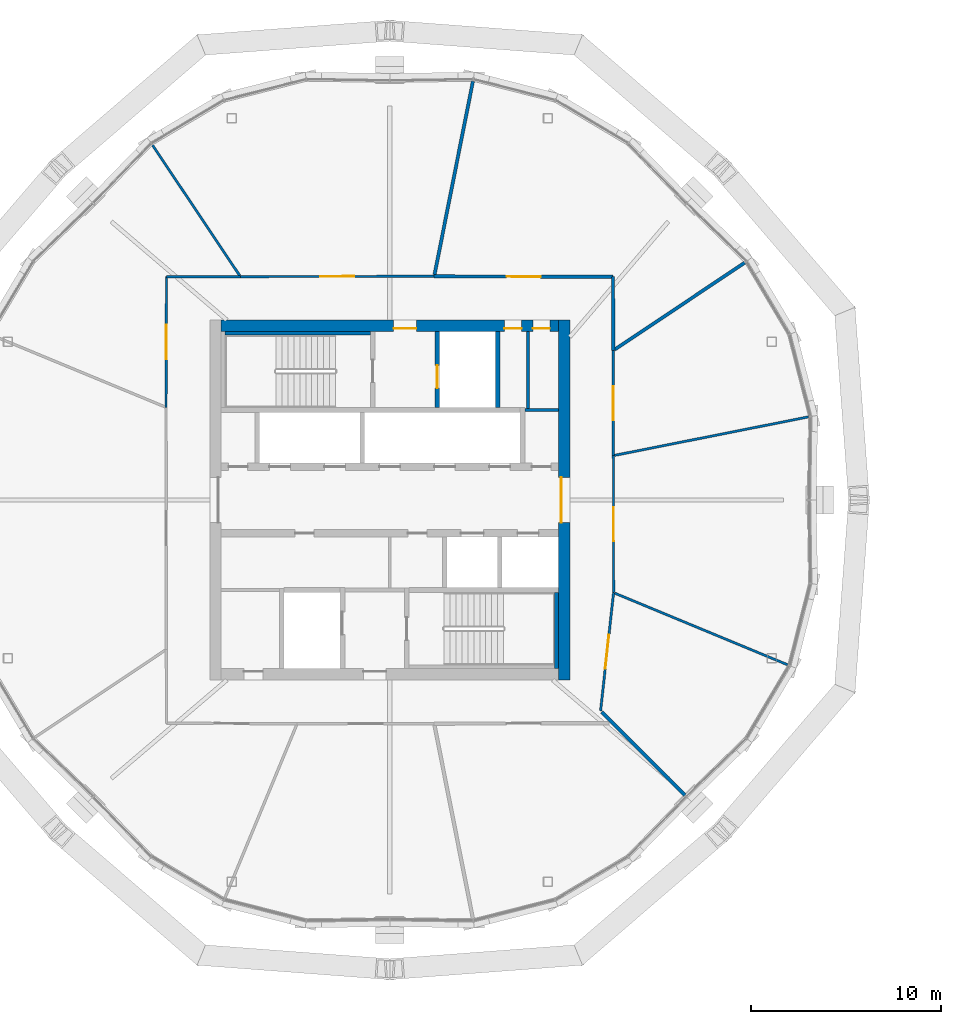
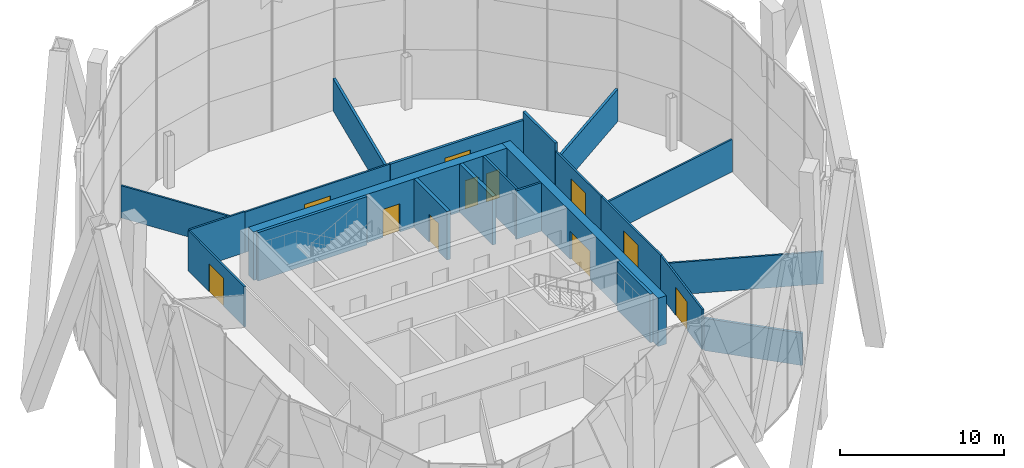
# One storey, part 17 of 23: 22 walls, 11 doors, 11 openings.
"""IFC4 building model written with IfcOpenShell, lengths in metres."""

from ifc_helpers import new_model, si_unit, direction, frame, frame_2d, origin, place, context, subcontext, project, spatial, rectangle, extrude, material, layer, layer_set, type_object, element, fill, save


model = new_model("IFC4")

# Units and contexts
model_context = context("Model", 3, precision=1e-05, world=origin(), true_north=direction((0.0, 1.0)))
body_context = subcontext(model_context, "Body", "Model", "MODEL_VIEW")
ifc_project = project(units=[si_unit("LENGTHUNIT", "METRE"), si_unit("AREAUNIT", "SQUARE_METRE"), si_unit("VOLUMEUNIT", "CUBIC_METRE"), si_unit("PLANEANGLEUNIT", "RADIAN"), si_unit("MASSUNIT", "GRAM", prefix="KILO")], contexts=[model_context])

# Site, building, storey
site_placement = place(None, origin())
site = spatial("IfcSite", under=ifc_project, at=site_placement, CompositionType="ELEMENT")
building_placement = place(site_placement, origin())
building = spatial("IfcBuilding", under=site, at=building_placement, Name="Ogive Gate Towers", CompositionType="ELEMENT")
storey_placement = place(building_placement, frame((0.0, 0.0, 165.60009765625)))
storey = spatial("IfcBuildingStorey", under=building, at=storey_placement, Name="L39", CompositionType="ELEMENT", Elevation=165.60009765625)

# Walls
ifc_material_1 = material(Name="Gypsum board acoustic partition")
ifc_layer_1 = layer(ifc_material_1, 0.175048828125)
ifc_layer_set_1 = layer_set([ifc_layer_1], Name="Acoustic partition 175")
wall_type_1 = type_object("IfcWallType", Name="Acoustic partition 175", PredefinedType="PARTITIONING", material=ifc_layer_set_1)
wall_1_placement = place(storey_placement, frame((-17.271728515625, 12.5234375, 0.0), z_axis=(0.0, 0.0, 1.0), x_axis=(-0.831276607887, -0.555858975982, 0.0)))
element("IfcWall", 1, at=wall_1_placement, inside=storey, type_object=wall_type_1, Name="Partition T1-L39-002", PredefinedType="PARTITIONING", context=body_context, shape_type="SweptSolid", body=[
    extrude(rectangle(XDim=8.26171875, YDim=0.175048828125, at=frame_2d((4.130859375, 0.0))), origin(), (0.0, 0.0, 1.0), 2.39990234375),
])
wall_2_placement = place(storey_placement, frame((-31.612548828125, 22.09814453125, 0.0), z_axis=(0.0, 0.0, 1.0), x_axis=(-0.194745070946, -0.980853891944, 0.0)))
element("IfcWall", 2, at=wall_2_placement, inside=storey, type_object=wall_type_1, Name="Partition T1-L39-003", PredefinedType="PARTITIONING", context=body_context, shape_type="SweptSolid", body=[
    extrude(rectangle(XDim=10.411376953125, YDim=0.175048828125, at=frame_2d((5.20556640625, 0.0))), origin(), (0.0, 0.0, 1.0), 2.39990234375),
])
wall_3_placement = place(storey_placement, frame((-20.423095703125, -15.576904296875, 0.0), z_axis=(0.0, 0.0, 1.0), x_axis=(-0.707106781187, 0.707106781187, 0.0)))
element("IfcWall", 3, at=wall_3_placement, inside=storey, type_object=wall_type_1, Name="Partition T1-L39-009", PredefinedType="PARTITIONING", context=body_context, shape_type="SweptSolid", body=[
    extrude(rectangle(XDim=6.21142578125, YDim=0.175048828125, at=frame_2d((3.105712890625, 0.0))), origin(), (0.0, 0.0, 1.0), 2.39990234375),
])

# Wall, opening, door
wall_4_placement = place(storey_placement, frame((-24.219970703125, 11.780029296875, 0.0), z_axis=(0.0, 0.0, 1.0), x_axis=(-0.999997694656, 0.002147250185, 0.0)))
wall_4 = element("IfcWall", 4, at=wall_4_placement, inside=storey, type_object=wall_type_1, Name="Partition T1-L39-022", PredefinedType="PARTITIONING", context=body_context, shape_type="SweptSolid", body=[
    extrude(rectangle(XDim=9.43701171875, YDim=0.175048828125, at=frame_2d((4.718505859375, 0.0))), origin(), (0.0, 0.0, 1.0), 3.0),
])
opening_1_placement = place(wall_4_placement, frame((3.819091796875, 0.0, 0.0)))
opening_1 = element("IfcOpeningElement", 5, at=opening_1_placement, cuts=wall_4, Name="Opening T1-L39-D10", PredefinedType="OPENING", context=body_context, shape_type="SweptSolid", body=[
    extrude(rectangle(XDim=1.800048828125, YDim=2.10009765625, at=frame_2d((0.89990234375, 1.050048828125))), frame((0.0, 0.09765625, 0.0), z_axis=(0.0, -1.0, 0.0), x_axis=(1.0, 0.0, 0.0)), (0.0, 0.0, 1.0), 0.195068359375),
])
ifc_material_2 = material(Name="Timber door", Category="wood")
door_type_1 = type_object("IfcDoorType", Name="Door pair 1800", OperationType="NOTDEFINED", PredefinedType="DOOR", material=ifc_material_2)
door_1_placement = place(opening_1_placement, origin())
door_1 = element("IfcDoor", 6, at=door_1_placement, inside=storey, type_object=door_type_1, Name="Door T1-L39-D10", OperationType="DOUBLE_DOOR_DOUBLE_SWING", OverallHeight=2.10009765625, OverallWidth=1.800048828125, PredefinedType="DOOR", context=body_context, shape_type="SweptSolid", body=[
    extrude(rectangle(XDim=1.800048828125, YDim=2.10009765625, at=frame_2d((0.89990234375, 1.050048828125))), frame((0.0, 0.02490234375, 0.0), z_axis=(0.0, -1.0, 0.0), x_axis=(1.0, 0.0, 0.0)), (0.0, 0.0, 1.0), 0.050048828125),
])
fill(opening_1, door_1)

# Wall
wall_5_placement = place(storey_placement, frame((-24.212158203125, 7.882568359375, 0.0), z_axis=(0.0, 0.0, 1.0), x_axis=(-0.002004506121, 0.999997990976, 0.0)))
element("IfcWall", 7, at=wall_5_placement, inside=storey, type_object=wall_type_1, Name="Partition T1-L39-023", PredefinedType="PARTITIONING", context=body_context, shape_type="SweptSolid", body=[
    extrude(rectangle(XDim=3.8974609375, YDim=0.175048828125, at=frame_2d((1.94873046875, 0.0))), origin(), (0.0, 0.0, 1.0), 3.599853515625),
])

# Wall, openings, doors
ifc_material_3 = material(Name="Concrete C60/75", Category="concrete")
ifc_layer_2 = layer(ifc_material_3, 0.60009765625)
ifc_layer_set_2 = layer_set([ifc_layer_2], Name="Core wall 600 mm")
wall_type_2 = type_object("IfcWallType", Name="Core wall 600 mm", PredefinedType="SHEAR", material=ifc_layer_set_2)
wall_6_placement = place(storey_placement, frame((-44.89990234375, 9.199951171875, 0.0), z_axis=(0.0, 0.0, 1.0), x_axis=(1.0, 0.0, 0.0)))
wall_6 = element("IfcWall", 8, at=wall_6_placement, inside=storey, type_object=wall_type_2, Name="T1 L39 Core wall 600 mm", PredefinedType="SHEAR", context=body_context, shape_type="SweptSolid", body=[
    extrude(rectangle(XDim=17.7998046875, YDim=0.60009765625, at=frame_2d((8.89990234375, 0.0))), origin(), (0.0, 0.0, 1.0), 3.599853515625),
])
opening_2_placement = place(wall_6_placement, frame((9.10009765625, 0.0, 0.0)))
opening_2 = element("IfcOpeningElement", 9, at=opening_2_placement, cuts=wall_6, Name="Opening KD-T1-L39-18", PredefinedType="OPENING", context=body_context, shape_type="SweptSolid", body=[
    extrude(rectangle(XDim=1.199951171875, YDim=2.10009765625, at=frame_2d((0.60009765625, 1.050048828125))), frame((0.0, 0.31005859375, 0.0), z_axis=(0.0, -1.0, 0.0), x_axis=(1.0, 0.0, 0.0)), (0.0, 0.0, 1.0), 0.6201171875),
])
opening_3_placement = place(wall_6_placement, frame((14.949951171875, 0.0, 0.0)))
opening_3 = element("IfcOpeningElement", 10, at=opening_3_placement, cuts=wall_6, Name="Opening KD-T1-L39-20", PredefinedType="OPENING", context=body_context, shape_type="SweptSolid", body=[
    extrude(rectangle(XDim=0.89990234375, YDim=2.10009765625, at=frame_2d((0.449951171875, 1.050048828125))), frame((0.0, 0.31005859375, 0.0), z_axis=(0.0, -1.0, 0.0), x_axis=(1.0, 0.0, 0.0)), (0.0, 0.0, 1.0), 0.6201171875),
])
opening_4_placement = place(wall_6_placement, frame((16.449951171875, 0.0, 0.0)))
opening_4 = element("IfcOpeningElement", 11, at=opening_4_placement, cuts=wall_6, Name="Opening KD-T1-L39-21", PredefinedType="OPENING", context=body_context, shape_type="SweptSolid", body=[
    extrude(rectangle(XDim=0.89990234375, YDim=2.10009765625, at=frame_2d((0.449951171875, 1.050048828125))), frame((0.0, 0.31005859375, 0.0), z_axis=(0.0, -1.0, 0.0), x_axis=(1.0, 0.0, 0.0)), (0.0, 0.0, 1.0), 0.6201171875),
])
door_type_2 = type_object("IfcDoorType", Name="Core WC door 900 x 2100", OperationType="NOTDEFINED", PredefinedType="DOOR", material=ifc_material_2)
door_2_placement = place(opening_3_placement, origin())
door_2 = element("IfcDoor", 12, at=door_2_placement, inside=storey, type_object=door_type_2, Name="T1 L39 Core door", OperationType="SINGLE_SWING_LEFT", OverallHeight=2.10009765625, OverallWidth=0.89990234375, PredefinedType="DOOR", context=body_context, shape_type="SweptSolid", body=[
    extrude(rectangle(XDim=0.89990234375, YDim=2.10009765625, at=frame_2d((0.449951171875, 1.050048828125))), frame((0.0, -0.125, 0.0), z_axis=(0.0, -1.0, 0.0), x_axis=(1.0, 0.0, 0.0)), (0.0, 0.0, 1.0), 0.050048828125),
])
fill(opening_3, door_2)
door_3_placement = place(opening_4_placement, origin())
door_3 = element("IfcDoor", 13, at=door_3_placement, inside=storey, type_object=door_type_2, Name="T1 L39 Core door", OperationType="SINGLE_SWING_RIGHT", OverallHeight=2.10009765625, OverallWidth=0.89990234375, PredefinedType="DOOR", context=body_context, shape_type="SweptSolid", body=[
    extrude(rectangle(XDim=0.89990234375, YDim=2.10009765625, at=frame_2d((0.449951171875, 1.050048828125))), frame((0.0, -0.125, 0.0), z_axis=(0.0, -1.0, 0.0), x_axis=(1.0, 0.0, 0.0)), (0.0, 0.0, 1.0), 0.050048828125),
])
fill(opening_4, door_3)
ifc_material_4 = material(Name="Steel fire door", Category="steel")
door_type_3 = type_object("IfcDoorType", Name="Core door FD60S 1200 x 2100", OperationType="NOTDEFINED", PredefinedType="DOOR", material=ifc_material_4)
door_4_placement = place(opening_2_placement, origin())
door_4 = element("IfcDoor", 14, at=door_4_placement, inside=storey, type_object=door_type_3, Name="T1 L39 Fire-fighting lobby door", OperationType="SINGLE_SWING_LEFT", OverallHeight=2.10009765625, OverallWidth=1.199951171875, PredefinedType="DOOR", context=body_context, shape_type="SweptSolid", body=[
    extrude(rectangle(XDim=1.199951171875, YDim=2.10009765625, at=frame_2d((0.60009765625, 1.050048828125))), frame((0.0, -0.125, 0.0), z_axis=(0.0, -1.0, 0.0), x_axis=(1.0, 0.0, 0.0)), (0.0, 0.0, 1.0), 0.050048828125),
])
fill(opening_2, door_4)

# Wall, opening, door
wall_7_placement = place(storey_placement, frame((-26.800048828125, -9.5, 0.0), z_axis=(0.0, 0.0, 1.0), x_axis=(0.0, 1.0, 0.0)))
wall_7 = element("IfcWall", 15, at=wall_7_placement, inside=storey, type_object=wall_type_2, Name="T1 L39 Core wall 600 mm", PredefinedType="SHEAR", context=body_context, shape_type="SweptSolid", body=[
    extrude(rectangle(XDim=19.0, YDim=0.60009765625, at=frame_2d((9.5, 0.0))), origin(), (0.0, 0.0, 1.0), 3.599853515625),
])
opening_5_placement = place(wall_7_placement, frame((8.300048828125, 0.0, 0.0)))
opening_5 = element("IfcOpeningElement", 16, at=opening_5_placement, cuts=wall_7, Name="Opening KD-T1-L39-02", PredefinedType="OPENING", context=body_context, shape_type="SweptSolid", body=[
    extrude(rectangle(XDim=2.39990234375, YDim=2.10009765625, at=frame_2d((1.199951171875, 1.050048828125))), frame((0.0, 0.31005859375, 0.0), z_axis=(0.0, -1.0, 0.0), x_axis=(1.0, 0.0, 0.0)), (0.0, 0.0, 1.0), 0.6201171875),
])
door_type_4 = type_object("IfcDoorType", Name="Core double door FD60S 2400 x 2100", OperationType="DOUBLE_DOOR_SINGLE_SWING", PredefinedType="DOOR", material=ifc_material_4)
door_5_placement = place(opening_5_placement, origin())
door_5 = element("IfcDoor", 17, at=door_5_placement, inside=storey, type_object=door_type_4, Name="T1 L39 Core door double", OperationType="DOUBLE_DOOR_SINGLE_SWING", OverallHeight=2.10009765625, OverallWidth=2.39990234375, PredefinedType="DOOR", context=body_context, shape_type="SweptSolid", body=[
    extrude(rectangle(XDim=2.39990234375, YDim=2.10009765625, at=frame_2d((1.199951171875, 1.050048828125))), frame((0.0, 0.1748046875, 0.0), z_axis=(0.0, -1.0, 0.0), x_axis=(1.0, 0.0, 0.0)), (0.0, 0.0, 1.0), 0.050048828125),
])
fill(opening_5, door_5)

# Walls
ifc_material_5 = material(Name="Gypsum board partition")
ifc_layer_3 = layer(ifc_material_5, 0.125)
ifc_layer_set_3 = layer_set([ifc_layer_3], Name="Partition 125")
wall_type_3 = type_object("IfcWallType", Name="Partition 125", PredefinedType="PARTITIONING", material=ifc_layer_set_3)
wall_8_placement = place(storey_placement, frame((-13.90185546875, 4.387451171875, 0.0), z_axis=(0.0, 0.0, 1.0), x_axis=(-0.980853242428, -0.194748342274, 0.0)))
element("IfcWall", 18, at=wall_8_placement, inside=storey, type_object=wall_type_3, Name="Partition T1-L39-001", PredefinedType="PARTITIONING", context=body_context, shape_type="SweptSolid", body=[
    extrude(rectangle(XDim=10.436279296875, YDim=0.125, at=frame_2d((5.21826171875, 0.0))), origin(), (0.0, 0.0, 1.0), 2.39990234375),
])
wall_9_placement = place(storey_placement, frame((-48.5234375, 18.728271484375, 0.0), z_axis=(0.0, 0.0, 1.0), x_axis=(0.555862276256, -0.831274401047, 0.0)))
element("IfcWall", 19, at=wall_9_placement, inside=storey, type_object=wall_type_3, Name="Partition T1-L39-004", PredefinedType="PARTITIONING", context=body_context, shape_type="SweptSolid", body=[
    extrude(rectangle(XDim=8.28662109375, YDim=0.125, at=frame_2d((4.143310546875, 0.0))), origin(), (0.0, 0.0, 1.0), 2.39990234375),
])
wall_10_placement = place(storey_placement, frame((-15.000244140625, -8.698486328125, 0.0), z_axis=(0.0, 0.0, 1.0), x_axis=(-0.923875671633, 0.382692753216, 0.0)))
element("IfcWall", 20, at=wall_10_placement, inside=storey, type_object=wall_type_3, Name="Partition T1-L39-010", PredefinedType="PARTITIONING", context=body_context, shape_type="SweptSolid", body=[
    extrude(rectangle(XDim=9.886474609375, YDim=0.125, at=frame_2d((4.943359375, 0.0))), origin(), (0.0, 0.0, 1.0), 2.39990234375),
])

# Wall, opening, door
wall_11_placement = place(storey_placement, frame((-33.656982421875, 11.80029296875, 0.0), z_axis=(0.0, 0.0, 1.0), x_axis=(-0.999999258667, -0.001217647841, 0.0)))
wall_11 = element("IfcWall", 21, at=wall_11_placement, inside=storey, type_object=wall_type_3, Name="Partition T1-L39-011", PredefinedType="PARTITIONING", context=body_context, shape_type="SweptSolid", body=[
    extrude(rectangle(XDim=10.2255859375, YDim=0.125, at=frame_2d((5.11279296875, 0.0))), origin(), (0.0, 0.0, 1.0), 3.0),
])
opening_6_placement = place(wall_11_placement, frame((4.212890625, 0.0, 0.0)))
opening_6 = element("IfcOpeningElement", 22, at=opening_6_placement, cuts=wall_11, Name="Opening T1-L39-D01", PredefinedType="OPENING", context=body_context, shape_type="SweptSolid", body=[
    extrude(rectangle(XDim=1.800048828125, YDim=2.10009765625, at=frame_2d((0.89990234375, 1.050048828125))), frame((0.0, 0.072509765625, 0.0), z_axis=(0.0, -1.0, 0.0), x_axis=(1.0, 0.0, 0.0)), (0.0, 0.0, 1.0), 0.14501953125),
])
door_6_placement = place(opening_6_placement, origin())
door_6 = element("IfcDoor", 23, at=door_6_placement, inside=storey, type_object=door_type_1, Name="Door T1-L39-D01", OperationType="DOUBLE_DOOR_DOUBLE_SWING", OverallHeight=2.10009765625, OverallWidth=1.800048828125, PredefinedType="DOOR", context=body_context, shape_type="SweptSolid", body=[
    extrude(rectangle(XDim=1.800048828125, YDim=2.10009765625, at=frame_2d((0.89990234375, 1.050048828125))), frame((0.0, 0.02490234375, 0.0), z_axis=(0.0, -1.0, 0.0), x_axis=(1.0, 0.0, 0.0)), (0.0, 0.0, 1.0), 0.050048828125),
])
fill(opening_6, door_6)

wall_12_placement = place(storey_placement, frame((-47.780029296875, 11.780029296875, 0.0), z_axis=(0.0, 0.0, 1.0), x_axis=(-0.004075523441, -0.99999169502, 0.0)))
wall_12 = element("IfcWall", 24, at=wall_12_placement, inside=storey, type_object=wall_type_3, Name="Partition T1-L39-012", PredefinedType="PARTITIONING", context=body_context, shape_type="SweptSolid", body=[
    extrude(rectangle(XDim=6.888916015625, YDim=0.125, at=frame_2d((3.4443359375, 0.0))), origin(), (0.0, 0.0, 1.0), 3.0),
])
opening_7_placement = place(wall_12_placement, frame((2.5439453125, 0.0, 0.0)))
opening_7 = element("IfcOpeningElement", 25, at=opening_7_placement, cuts=wall_12, Name="Opening T1-L39-D02", PredefinedType="OPENING", context=body_context, shape_type="SweptSolid", body=[
    extrude(rectangle(XDim=1.800048828125, YDim=2.10009765625, at=frame_2d((0.89990234375, 1.050048828125))), frame((0.0, 0.072509765625, 0.0), z_axis=(0.0, -1.0, 0.0), x_axis=(1.0, 0.0, 0.0)), (0.0, 0.0, 1.0), 0.14501953125),
])
door_7_placement = place(opening_7_placement, origin())
door_7 = element("IfcDoor", 26, at=door_7_placement, inside=storey, type_object=door_type_1, Name="Door T1-L39-D02", OperationType="DOUBLE_DOOR_DOUBLE_SWING", OverallHeight=2.10009765625, OverallWidth=1.800048828125, PredefinedType="DOOR", context=body_context, shape_type="SweptSolid", body=[
    extrude(rectangle(XDim=1.800048828125, YDim=2.10009765625, at=frame_2d((0.89990234375, 1.050048828125))), frame((0.0, 0.02490234375, 0.0), z_axis=(0.0, -1.0, 0.0), x_axis=(1.0, 0.0, 0.0)), (0.0, 0.0, 1.0), 0.050048828125),
])
fill(opening_7, door_7)

# Wall
wall_13_placement = place(storey_placement, frame((-43.882568359375, 11.787841796875, 0.0), z_axis=(0.0, 0.0, 1.0), x_axis=(-0.999997990976, -0.002004506121, 0.0)))
element("IfcWall", 27, at=wall_13_placement, inside=storey, type_object=wall_type_3, Name="Partition T1-L39-013", PredefinedType="PARTITIONING", context=body_context, shape_type="SweptSolid", body=[
    extrude(rectangle(XDim=3.8974609375, YDim=0.125, at=frame_2d((1.94873046875, 0.0))), origin(), (0.0, 0.0, 1.0), 3.0498046875),
])

# Wall, opening, door
wall_14_placement = place(storey_placement, frame((-24.877197265625, -11.122802734375, 0.0), z_axis=(0.0, 0.0, 1.0), x_axis=(0.109311621404, 0.994007529864, 0.0)))
wall_14 = element("IfcWall", 28, at=wall_14_placement, inside=storey, type_object=wall_type_3, Name="Partition T1-L39-019", PredefinedType="PARTITIONING", context=body_context, shape_type="SweptSolid", body=[
    extrude(rectangle(XDim=6.269287109375, YDim=0.125, at=frame_2d((3.134765625, 0.0))), origin(), (0.0, 0.0, 1.0), 3.0),
])
opening_8_placement = place(wall_14_placement, frame((2.235107421875, 0.0, 0.0)))
opening_8 = element("IfcOpeningElement", 29, at=opening_8_placement, cuts=wall_14, Name="Opening T1-L39-D07", PredefinedType="OPENING", context=body_context, shape_type="SweptSolid", body=[
    extrude(rectangle(XDim=1.800048828125, YDim=2.10009765625, at=frame_2d((0.89990234375, 1.050048828125))), frame((0.0, 0.072509765625, 0.0), z_axis=(0.0, -1.0, 0.0), x_axis=(1.0, 0.0, 0.0)), (0.0, 0.0, 1.0), 0.14501953125),
])
door_8_placement = place(opening_8_placement, origin())
door_8 = element("IfcDoor", 30, at=door_8_placement, inside=storey, type_object=door_type_1, Name="Door T1-L39-D07", OperationType="DOUBLE_DOOR_DOUBLE_SWING", OverallHeight=2.10009765625, OverallWidth=1.800048828125, PredefinedType="DOOR", context=body_context, shape_type="SweptSolid", body=[
    extrude(rectangle(XDim=1.800048828125, YDim=2.10009765625, at=frame_2d((0.89990234375, 1.050048828125))), frame((0.0, 0.02490234375, 0.0), z_axis=(0.0, -1.0, 0.0), x_axis=(1.0, 0.0, 0.0)), (0.0, 0.0, 1.0), 0.050048828125),
])
fill(opening_8, door_8)

wall_15_placement = place(storey_placement, frame((-24.19189453125, -4.89111328125, 0.0), z_axis=(0.0, 0.0, 1.0), x_axis=(-0.001079949423, 0.999999416854, 0.0)))
wall_15 = element("IfcWall", 31, at=wall_15_placement, inside=storey, type_object=wall_type_3, Name="Partition T1-L39-020", PredefinedType="PARTITIONING", context=body_context, shape_type="SweptSolid", body=[
    extrude(rectangle(XDim=7.234130859375, YDim=0.125, at=frame_2d((3.6171875, 0.0))), origin(), (0.0, 0.0, 1.0), 3.0),
])
opening_9_placement = place(wall_15_placement, frame((2.717041015625, 0.0, 0.0)))
opening_9 = element("IfcOpeningElement", 32, at=opening_9_placement, cuts=wall_15, Name="Opening T1-L39-D08", PredefinedType="OPENING", context=body_context, shape_type="SweptSolid", body=[
    extrude(rectangle(XDim=1.800048828125, YDim=2.10009765625, at=frame_2d((0.89990234375, 1.050048828125))), frame((0.0, 0.072509765625, 0.0), z_axis=(0.0, -1.0, 0.0), x_axis=(1.0, 0.0, 0.0)), (0.0, 0.0, 1.0), 0.14501953125),
])
door_9_placement = place(opening_9_placement, origin())
door_9 = element("IfcDoor", 33, at=door_9_placement, inside=storey, type_object=door_type_1, Name="Door T1-L39-D08", OperationType="DOUBLE_DOOR_DOUBLE_SWING", OverallHeight=2.10009765625, OverallWidth=1.800048828125, PredefinedType="DOOR", context=body_context, shape_type="SweptSolid", body=[
    extrude(rectangle(XDim=1.800048828125, YDim=2.10009765625, at=frame_2d((0.89990234375, 1.050048828125))), frame((0.0, 0.02490234375, 0.0), z_axis=(0.0, -1.0, 0.0), x_axis=(1.0, 0.0, 0.0)), (0.0, 0.0, 1.0), 0.050048828125),
])
fill(opening_9, door_9)

wall_16_placement = place(storey_placement, frame((-24.19970703125, 2.343017578125, 0.0), z_axis=(0.0, 0.0, 1.0), x_axis=(-0.002247680528, 0.999997473963, 0.0)))
wall_16 = element("IfcWall", 34, at=wall_16_placement, inside=storey, type_object=wall_type_3, Name="Partition T1-L39-021", PredefinedType="PARTITIONING", context=body_context, shape_type="SweptSolid", body=[
    extrude(rectangle(XDim=5.53955078125, YDim=0.125, at=frame_2d((2.769775390625, 0.0))), origin(), (0.0, 0.0, 1.0), 3.0),
])
opening_10_placement = place(wall_16_placement, frame((1.8701171875, 0.0, 0.0)))
opening_10 = element("IfcOpeningElement", 35, at=opening_10_placement, cuts=wall_16, Name="Opening T1-L39-D09", PredefinedType="OPENING", context=body_context, shape_type="SweptSolid", body=[
    extrude(rectangle(XDim=1.800048828125, YDim=2.10009765625, at=frame_2d((0.89990234375, 1.050048828125))), frame((0.0, 0.072509765625, 0.0), z_axis=(0.0, -1.0, 0.0), x_axis=(1.0, 0.0, 0.0)), (0.0, 0.0, 1.0), 0.14501953125),
])
door_10_placement = place(opening_10_placement, origin())
door_10 = element("IfcDoor", 36, at=door_10_placement, inside=storey, type_object=door_type_1, Name="Door T1-L39-D09", OperationType="DOUBLE_DOOR_DOUBLE_SWING", OverallHeight=2.10009765625, OverallWidth=1.800048828125, PredefinedType="DOOR", context=body_context, shape_type="SweptSolid", body=[
    extrude(rectangle(XDim=1.800048828125, YDim=2.10009765625, at=frame_2d((0.89990234375, 1.050048828125))), frame((0.0, 0.02490234375, 0.0), z_axis=(0.0, -1.0, 0.0), x_axis=(1.0, 0.0, 0.0)), (0.0, 0.0, 1.0), 0.050048828125),
])
fill(opening_10, door_10)

# Walls
ifc_layer_4 = layer(ifc_material_5, 0.14990234375)
ifc_layer_set_4 = layer_set([ifc_layer_4], Name="Room partition 150 mm")
wall_type_4 = type_object("IfcWallType", Name="Room partition 150 mm", PredefinedType="PARTITIONING", material=ifc_layer_set_4)
wall_17_placement = place(storey_placement, frame((-28.875, 4.75, 0.0), z_axis=(0.0, 0.0, 1.0), x_axis=(1.0, 0.0, 0.0)))
element("IfcWall", 37, at=wall_17_placement, inside=storey, type_object=wall_type_4, Name="T1 L39 Room partition 150 mm", PredefinedType="PARTITIONING", context=body_context, shape_type="SweptSolid", body=[
    extrude(rectangle(XDim=1.77490234375, YDim=0.14990234375, at=frame_2d((0.887451171875, 0.0))), origin(), (0.0, 0.0, 1.0), 3.599853515625),
])
wall_18_placement = place(storey_placement, frame((-28.699951171875, 4.824951171875, 0.0), z_axis=(0.0, 0.0, 1.0), x_axis=(0.0, 1.0, 0.0)))
element("IfcWall", 38, at=wall_18_placement, inside=storey, type_object=wall_type_4, Name="T1 L39 Room partition 150 mm", PredefinedType="PARTITIONING", context=body_context, shape_type="SweptSolid", body=[
    extrude(rectangle(XDim=4.074951171875, YDim=0.14990234375, at=frame_2d((2.03759765625, 0.0))), origin(), (0.0, 0.0, 1.0), 3.599853515625),
])

# Wall, opening, door
ifc_layer_5 = layer(ifc_material_3, 0.25)
ifc_layer_set_5 = layer_set([ifc_layer_5], Name="Shaft wall 250 mm")
wall_type_5 = type_object("IfcWallType", Name="Shaft wall 250 mm", PredefinedType="SHEAR", material=ifc_layer_set_5)
wall_19_placement = place(storey_placement, frame((-33.5, 4.875, 0.0), z_axis=(0.0, 0.0, 1.0), x_axis=(0.0, 1.0, 0.0)))
wall_19 = element("IfcWall", 39, at=wall_19_placement, inside=storey, type_object=wall_type_5, Name="T1 L39 Shaft wall 250 mm", PredefinedType="SHEAR", context=body_context, shape_type="SweptSolid", body=[
    extrude(rectangle(XDim=4.02490234375, YDim=0.25, at=frame_2d((2.012451171875, 0.0))), origin(), (0.0, 0.0, 1.0), 3.599853515625),
])
opening_11_placement = place(wall_19_placement, frame((1.02490234375, 0.0, 0.0)))
opening_11 = element("IfcOpeningElement", 40, at=opening_11_placement, cuts=wall_19, Name="Opening LD-T1-L39-12", PredefinedType="OPENING", context=body_context, shape_type="SweptSolid", body=[
    extrude(rectangle(XDim=1.199951171875, YDim=2.10009765625, at=frame_2d((0.60009765625, 1.050048828125))), frame((0.0, 0.135009765625, 0.0), z_axis=(0.0, -1.0, 0.0), x_axis=(1.0, 0.0, 0.0)), (0.0, 0.0, 1.0), 0.27001953125),
])
ifc_material_6 = material(Name="Stainless steel landing door", Category="steel")
door_type_5 = type_object("IfcDoorType", Name="Landing door 1200 x 2100", OperationType="SLIDING_TO_LEFT", PredefinedType="DOOR", material=ifc_material_6)
door_11_placement = place(opening_11_placement, origin())
door_11 = element("IfcDoor", 41, at=door_11_placement, inside=storey, type_object=door_type_5, Name="T1 L39 Lift landing door FF1", OperationType="SLIDING_TO_LEFT", OverallHeight=2.10009765625, OverallWidth=1.199951171875, PredefinedType="DOOR", context=body_context, shape_type="SweptSolid", body=[
    extrude(rectangle(XDim=1.199951171875, YDim=2.10009765625, at=frame_2d((0.60009765625, 1.050048828125))), frame((0.0, 0.02490234375, 0.0), z_axis=(0.0, -1.0, 0.0), x_axis=(1.0, 0.0, 0.0)), (0.0, 0.0, 1.0), 0.050048828125),
])
fill(opening_11, door_11)

# Walls
wall_20_placement = place(storey_placement, frame((-30.300048828125, 4.875, 0.0), z_axis=(0.0, 0.0, 1.0), x_axis=(0.0, 1.0, 0.0)))
element("IfcWall", 42, at=wall_20_placement, inside=storey, type_object=wall_type_5, Name="T1 L39 Shaft wall 250 mm", PredefinedType="SHEAR", context=body_context, shape_type="SweptSolid", body=[
    extrude(rectangle(XDim=4.02490234375, YDim=0.25, at=frame_2d((2.012451171875, 0.0))), origin(), (0.0, 0.0, 1.0), 3.599853515625),
])
ifc_layer_6 = layer(ifc_material_3, 0.199951171875)
ifc_layer_set_6 = layer_set([ifc_layer_6], Name="Stair wall 200 mm")
wall_type_6 = type_object("IfcWallType", Name="Stair wall 200 mm", PredefinedType="SHEAR", material=ifc_layer_set_6)
wall_21_placement = place(storey_placement, frame((-44.699951171875, 8.800048828125, 0.0), z_axis=(0.0, 0.0, 1.0), x_axis=(1.0, 0.0, 0.0)))
element("IfcWall", 43, at=wall_21_placement, inside=storey, type_object=wall_type_6, Name="T1 L39 Stair wall 200 mm", PredefinedType="SHEAR", context=body_context, shape_type="SweptSolid", body=[
    extrude(rectangle(XDim=7.675048828125, YDim=0.199951171875, at=frame_2d((3.83740234375, 0.0))), origin(), (0.0, 0.0, 1.0), 3.599853515625),
])
wall_22_placement = place(storey_placement, frame((-27.199951171875, -8.89990234375, 0.0), z_axis=(0.0, 0.0, 1.0), x_axis=(0.0, 1.0, 0.0)))
element("IfcWall", 44, at=wall_22_placement, inside=storey, type_object=wall_type_6, Name="T1 L39 Stair wall 200 mm", PredefinedType="SHEAR", context=body_context, shape_type="SweptSolid", body=[
    extrude(rectangle(XDim=4.02490234375, YDim=0.199951171875, at=frame_2d((2.012451171875, 0.0))), origin(), (0.0, 0.0, 1.0), 3.599853515625),
])

save(model, "model.ifc")
